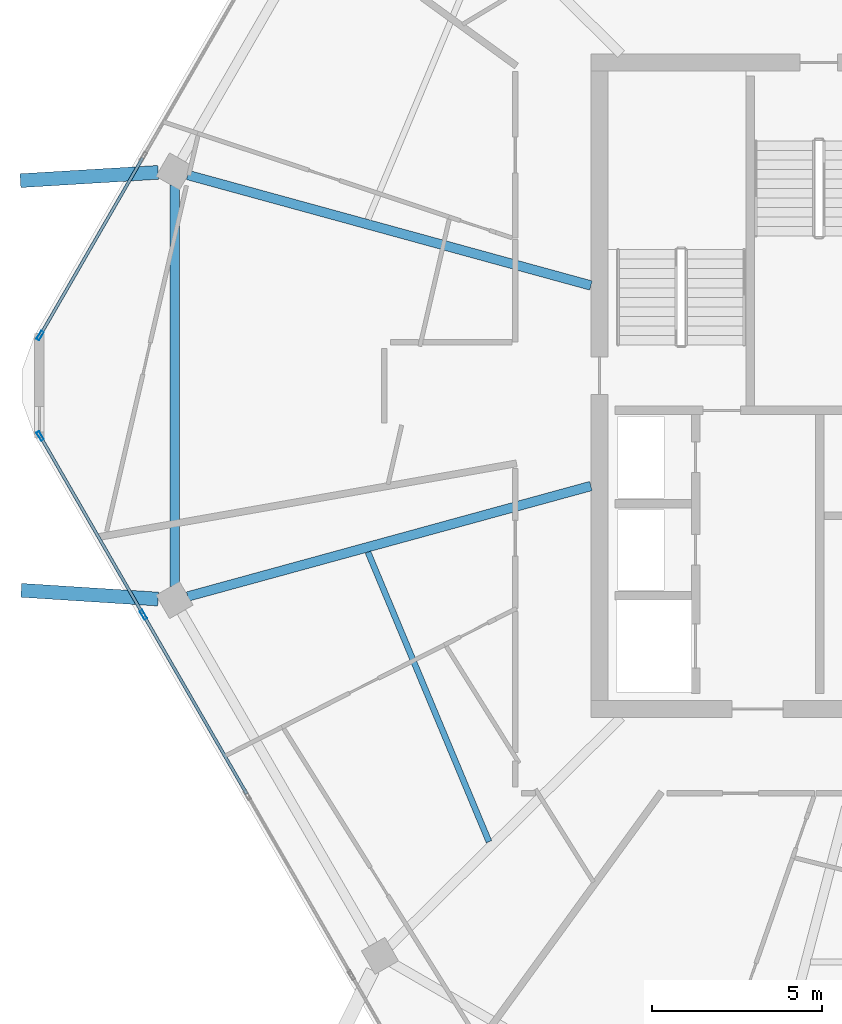
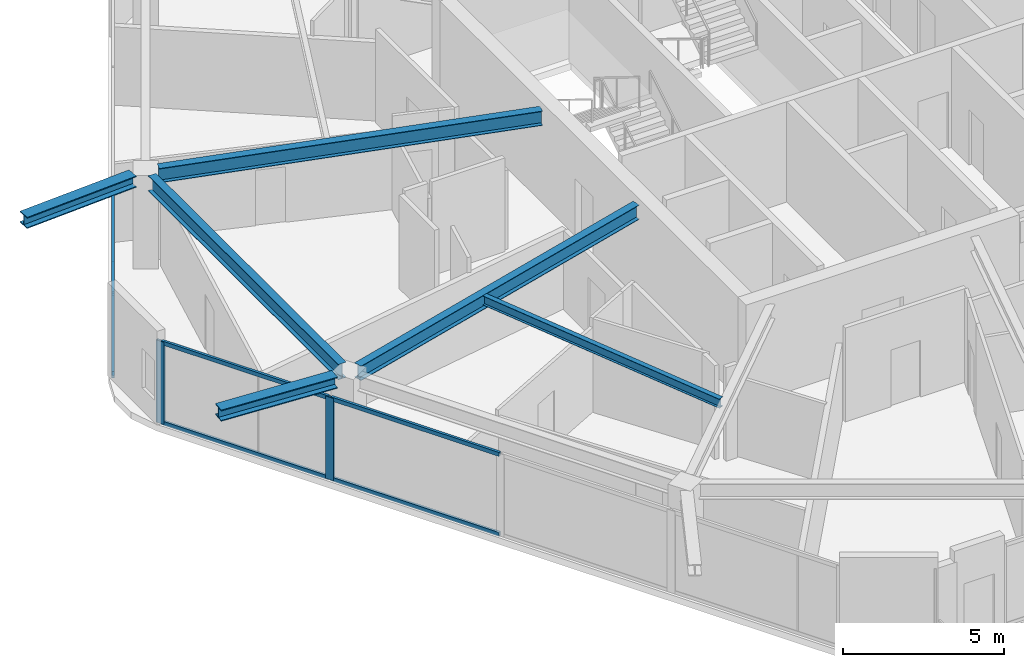
# One storey, part 4 of 20: 9 members, 6 beams, 2 elements without a shape of their own.
"""IFC4 building model written with IfcOpenShell, lengths in metres."""

from ifc_helpers import new_model, si_unit, direction, frame, origin, origin_2d, place, context, subcontext, project, spatial, hollow_rectangle, i_section, extrude, material, material_profile, profile_set, type_object, element, aggregate, save


model = new_model("IFC4")

# Units and contexts
model_context = context("Model", 3, precision=1e-05, world=origin(), true_north=direction((0.0, 1.0)))
body_context = subcontext(model_context, "Body", "Model", "MODEL_VIEW")
ifc_project = project(units=[si_unit("LENGTHUNIT", "METRE"), si_unit("AREAUNIT", "SQUARE_METRE"), si_unit("VOLUMEUNIT", "CUBIC_METRE"), si_unit("PLANEANGLEUNIT", "RADIAN"), si_unit("MASSUNIT", "GRAM", prefix="KILO")], contexts=[model_context])

# Site, building, storey
site_placement = place(None, origin())
site = spatial("IfcSite", under=ifc_project, at=site_placement, CompositionType="ELEMENT")
building_placement = place(site_placement, origin())
building = spatial("IfcBuilding", under=site, at=building_placement, Name="Zuhravey Tower", CompositionType="ELEMENT")
storey_placement = place(building_placement, frame((0.0, 0.0, 312.0)))
storey = spatial("IfcBuildingStorey", under=building, at=storey_placement, Name="L79", CompositionType="ELEMENT", Elevation=312.0)

# Curtain wall, members
ifc_material_1 = material(Name="Thermally broken anodised aluminium", Category="aluminium")
curtain_wall_type = type_object("IfcCurtainWallType", Name="Zone 3-4 High-Rise Curtain Wall CW4", PredefinedType="NOTDEFINED", material=ifc_material_1)
curtain_wall_1_placement = place(storey_placement, origin())
curtain_wall_1 = element("IfcCurtainWall", 1, at=curtain_wall_1_placement, inside=storey, type_object=curtain_wall_type, Name="L79 CW4 CW-L79-F4-1", PredefinedType="NOTDEFINED")
ifc_material_2 = material(Name="Anodised aluminium", Category="aluminium")
ifc_material_profile_1 = material_profile(ifc_material_2, hollow_rectangle(XDim=0.090087890625, YDim=0.284912109375, WallThickness=0.0048828125, at=origin_2d()), Name="ALU-RHS-90x285x5")
ifc_profile_set_1 = profile_set([ifc_material_profile_1], Name="Anodised aluminium")
member_type_1 = type_object("IfcMemberType", Name="Curtain-Wall Mullion 90x180", PredefinedType="MULLION", material=ifc_profile_set_1)
member_1_placement = place(storey_placement, frame((12.09130859375, 25.2626953125, 0.0), z_axis=(0.0, 0.0, 1.0), x_axis=(-0.866025511541, -0.49999981336, 0.0)))
member_1 = element("IfcMember", 2, at=member_1_placement, type_object=member_type_1, Name="CW4 mullion 4", PredefinedType="MULLION", context=body_context, shape_type="SweptSolid", body=[
    extrude(hollow_rectangle(XDim=0.090087890625, YDim=0.284912109375, WallThickness=0.0048828125, at=origin_2d()), origin(), (0.0, 0.0, 1.0), 3.1220703125),
])
member_2_placement = place(storey_placement, frame((9.05419921875, 30.5234375, 0.0), z_axis=(0.0, 0.0, 1.0), x_axis=(-0.866025511541, -0.49999981336, 0.0)))
member_2 = element("IfcMember", 3, at=member_2_placement, type_object=member_type_1, Name="CW4 mullion 5", PredefinedType="MULLION", context=body_context, shape_type="SweptSolid", body=[
    extrude(hollow_rectangle(XDim=0.090087890625, YDim=0.284912109375, WallThickness=0.0048828125, at=origin_2d()), origin(), (0.0, 0.0, 1.0), 3.1220703125),
])

# Curtain wall, member
curtain_wall_2_placement = place(storey_placement, origin())
curtain_wall_2 = element("IfcCurtainWall", 4, at=curtain_wall_2_placement, inside=storey, type_object=curtain_wall_type, Name="L79 CW4 CW-L79-F3-1", PredefinedType="NOTDEFINED")
member_3_placement = place(storey_placement, frame((9.05419921875, 33.4765625, 0.0), z_axis=(0.0, 0.0, 1.0), x_axis=(-0.866025511541, 0.49999981336, 0.0)))
member_3 = element("IfcMember", 5, at=member_3_placement, type_object=member_type_1, Name="CW4 mullion 1", PredefinedType="MULLION", context=body_context, shape_type="SweptSolid", body=[
    extrude(hollow_rectangle(XDim=0.090087890625, YDim=0.284912109375, WallThickness=0.0048828125, at=origin_2d()), origin(), (0.0, 0.0, 1.0), 3.1220703125),
])

# Member
ifc_material_profile_2 = material_profile(ifc_material_2, hollow_rectangle(XDim=0.090087890625, YDim=0.14990234375, WallThickness=0.0048828125, at=origin_2d()), Name="ALU-RHS-90x150x5")
ifc_profile_set_2 = profile_set([ifc_material_profile_2], Name="Anodised aluminium")
member_type_2 = type_object("IfcMemberType", Name="Curtain-Wall Transom 90x150", PredefinedType="USERDEFINED", material=ifc_profile_set_2)
member_4_placement = place(storey_placement, frame((15.128662109375, 20.001953125, 0.044921875), z_axis=(-0.499988837749, 0.866031848217, 0.0), x_axis=(-0.866031848217, -0.499988837749, 0.0)))
member_4 = element("IfcMember", 6, at=member_4_placement, type_object=member_type_2, Name="CW4 transom 3.1", ObjectType="TRANSOM", PredefinedType="USERDEFINED", context=body_context, shape_type="SweptSolid", body=[
    extrude(hollow_rectangle(XDim=0.090087890625, YDim=0.14990234375, WallThickness=0.0048828125, at=origin_2d()), origin(), (0.0, 0.0, 1.0), 6.029541015625),
])

member_5_placement = place(storey_placement, frame((15.128662109375, 20.001953125, 3.076904296875), z_axis=(-0.499988837749, 0.866031848217, 0.0), x_axis=(-0.866031848217, -0.499988837749, 0.0)))
member_5 = element("IfcMember", 7, at=member_5_placement, type_object=member_type_2, Name="CW4 transom 3.2", ObjectType="TRANSOM", PredefinedType="USERDEFINED", context=body_context, shape_type="SweptSolid", body=[
    extrude(hollow_rectangle(XDim=0.090087890625, YDim=0.14990234375, WallThickness=0.0048828125, at=origin_2d()), origin(), (0.0, 0.0, 1.0), 6.029541015625),
])

member_6_placement = place(storey_placement, frame((12.06884765625, 25.3017578125, 0.044921875), z_axis=(-0.499982594807, 0.866035452444, 0.0), x_axis=(-0.866035452444, -0.499982594807, 0.0)))
member_6 = element("IfcMember", 8, at=member_6_placement, type_object=member_type_2, Name="CW4 transom 4.1", ObjectType="TRANSOM", PredefinedType="USERDEFINED", context=body_context, shape_type="SweptSolid", body=[
    extrude(hollow_rectangle(XDim=0.090087890625, YDim=0.14990234375, WallThickness=0.0048828125, at=origin_2d()), origin(), (0.0, 0.0, 1.0), 5.984619140625),
])

member_7_placement = place(storey_placement, frame((12.06884765625, 25.3017578125, 3.076904296875), z_axis=(-0.499982594807, 0.866035452444, 0.0), x_axis=(-0.866035452444, -0.499982594807, 0.0)))
member_7 = element("IfcMember", 9, at=member_7_placement, type_object=member_type_2, Name="CW4 transom 4.2", ObjectType="TRANSOM", PredefinedType="USERDEFINED", context=body_context, shape_type="SweptSolid", body=[
    extrude(hollow_rectangle(XDim=0.090087890625, YDim=0.14990234375, WallThickness=0.0048828125, at=origin_2d()), origin(), (0.0, 0.0, 1.0), 5.984619140625),
])

aggregate(curtain_wall_1, [member_1, member_2, member_4, member_5, member_6, member_7])

member_8_placement = place(storey_placement, frame((9.07666015625, 33.515380859375, 0.044921875), z_axis=(0.499982594807, 0.866035452444, 0.0), x_axis=(-0.866035452444, 0.499982594807, 0.0)))
member_8 = element("IfcMember", 10, at=member_8_placement, type_object=member_type_2, Name="CW4 transom 1.1", ObjectType="TRANSOM", PredefinedType="USERDEFINED", context=body_context, shape_type="SweptSolid", body=[
    extrude(hollow_rectangle(XDim=0.090087890625, YDim=0.14990234375, WallThickness=0.0048828125, at=origin_2d()), origin(), (0.0, 0.0, 1.0), 5.984619140625),
])

member_9_placement = place(storey_placement, frame((9.07666015625, 33.515380859375, 3.076904296875), z_axis=(0.499982594807, 0.866035452444, 0.0), x_axis=(-0.866035452444, 0.499982594807, 0.0)))
member_9 = element("IfcMember", 11, at=member_9_placement, type_object=member_type_2, Name="CW4 transom 1.2", ObjectType="TRANSOM", PredefinedType="USERDEFINED", context=body_context, shape_type="SweptSolid", body=[
    extrude(hollow_rectangle(XDim=0.090087890625, YDim=0.14990234375, WallThickness=0.0048828125, at=origin_2d()), origin(), (0.0, 0.0, 1.0), 5.984619140625),
])

aggregate(curtain_wall_2, [member_3, member_8, member_9])

# Beams
ifc_material_3 = material(Name="Steel SM460", Category="steel")
ifc_material_profile_3 = material_profile(ifc_material_3, i_section(OverallWidth=0.406982421875, OverallDepth=0.427978515625, WebThickness=0.02001953125, FlangeThickness=0.034912109375, at=origin_2d()), Name="H-428x407x20x35")
ifc_profile_set_3 = profile_set([ifc_material_profile_3], Name="Steel SM460")
beam_type_1 = type_object("IfcBeamType", Name="Exoskeleton Node Tie Beam H428x407", PredefinedType="BEAM", material=ifc_profile_set_3)
beam_1_placement = place(storey_placement, frame((12.524169921875, 38.273193359375, 3.3359375), z_axis=(-0.998183334896, -0.060249729753, 0.0), x_axis=(0.060249729753, -0.998183334896, 0.0)))
element("IfcBeam", 12, at=beam_1_placement, inside=storey, type_object=beam_type_1, Name="L79 Exoskeleton Node Tie NT1-06", PredefinedType="BEAM", context=body_context, shape_type="SweptSolid", body=[
    extrude(i_section(OverallWidth=0.406982421875, OverallDepth=0.427978515625, WebThickness=0.02001953125, FlangeThickness=0.034912109375, at=origin_2d()), origin(), (0.0, 0.0, 1.0), 4.05615234375),
])
beam_2_placement = place(storey_placement, frame((12.52294921875, 25.728515625, 3.3359375), z_axis=(-0.997955458002, 0.063913252485, 0.0), x_axis=(-0.063913252485, -0.997955458002, 0.0)))
element("IfcBeam", 13, at=beam_2_placement, inside=storey, type_object=beam_type_1, Name="L79 Exoskeleton Node Tie NT1-07", PredefinedType="BEAM", context=body_context, shape_type="SweptSolid", body=[
    extrude(i_section(OverallWidth=0.406982421875, OverallDepth=0.427978515625, WebThickness=0.02001953125, FlangeThickness=0.034912109375, at=origin_2d()), origin(), (0.0, 0.0, 1.0), 4.030029296875),
])
ifc_material_4 = material(Name="Steel SM355", Category="steel")
ifc_material_profile_4 = material_profile(ifc_material_4, i_section(OverallWidth=0.280029296875, OverallDepth=0.580078125, WebThickness=0.011962890625, FlangeThickness=0.01904296875, at=origin_2d()), Name="H-580x280x12x19")
ifc_profile_set_4 = profile_set([ifc_material_profile_4], Name="Steel SM355")
beam_type_2 = type_object("IfcBeamType", Name="Perimeter Ring Beam H580x280", PredefinedType="BEAM", material=ifc_profile_set_4)
beam_3_placement = place(storey_placement, frame((13.006591796875, 37.8994140625, 3.260009765625), z_axis=(0.0, -1.0, 0.0), x_axis=(1.0, 0.0, 0.0)))
element("IfcBeam", 14, at=beam_3_placement, inside=storey, type_object=beam_type_2, Name="L79 PB4 BM-L79-PB-06", PredefinedType="BEAM", context=body_context, shape_type="SweptSolid", body=[
    extrude(i_section(OverallWidth=0.280029296875, OverallDepth=0.580078125, WebThickness=0.011962890625, FlangeThickness=0.01904296875, at=origin_2d()), origin(), (0.0, 0.0, 1.0), 11.798828125),
])
ifc_material_profile_5 = material_profile(ifc_material_4, i_section(OverallWidth=0.280029296875, OverallDepth=0.550048828125, WebThickness=0.010986328125, FlangeThickness=0.01806640625, at=origin_2d()), Name="H-550x280x11x18")
ifc_profile_set_5 = profile_set([ifc_material_profile_5], Name="Steel SM355")
beam_type_3 = type_object("IfcBeamType", Name="Radial Primary Girder H550x280", PredefinedType="BEAM", material=ifc_profile_set_5)
for number, where, z_axis, x_axis, name in (
    (15, (25.2470703125, 34.947265625, 3.27490234375), (-0.964427903067, 0.264346022829, 0.0), (-0.264346022829, -0.964427903067, 0.0), "L79 RG4 BM-L79-RAD-06"),
    (16, (25.2470703125, 29.052734375, 3.27490234375), (-0.964427903067, -0.264346022829, 0.0), (0.264346022829, -0.964427903067, 0.0), "L79 RG4 BM-L79-RAD-07"),
):
    element("IfcBeam", number, at=place(storey_placement, frame(where, z_axis=z_axis, x_axis=x_axis)), inside=storey, type_object=beam_type_3, Name=name, PredefinedType="BEAM", context=body_context, shape_type="SweptSolid", body=[
        extrude(i_section(OverallWidth=0.280029296875, OverallDepth=0.550048828125, WebThickness=0.010986328125, FlangeThickness=0.01806640625, at=origin_2d()), origin(), (0.0, 0.0, 1.0), 12.2890625),
    ])
ifc_material_profile_6 = material_profile(ifc_material_4, i_section(OverallWidth=0.175048828125, OverallDepth=0.35009765625, WebThickness=0.007080078125, FlangeThickness=0.010986328125, at=origin_2d()), Name="H-350x175x7x11")
ifc_profile_set_6 = profile_set([ifc_material_profile_6], Name="Steel SM355")
beam_type_4 = type_object("IfcBeamType", Name="Secondary Floor Joist H350x175", PredefinedType="JOIST", material=ifc_profile_set_6)
beam_4_placement = place(storey_placement, frame((18.692626953125, 27.108154296875, 3.375), z_axis=(0.385657891576, -0.922641853953, 0.0), x_axis=(0.922641853953, 0.385657891576, 0.0)))
element("IfcBeam", 17, at=beam_4_placement, inside=storey, type_object=beam_type_4, Name="L79 SJ3 BM-L79-SJ-07-1", PredefinedType="JOIST", context=body_context, shape_type="SweptSolid", body=[
    extrude(i_section(OverallWidth=0.175048828125, OverallDepth=0.35009765625, WebThickness=0.007080078125, FlangeThickness=0.010986328125, at=origin_2d()), origin(), (0.0, 0.0, 1.0), 9.226806640625),
])

save(model, "model.ifc")
